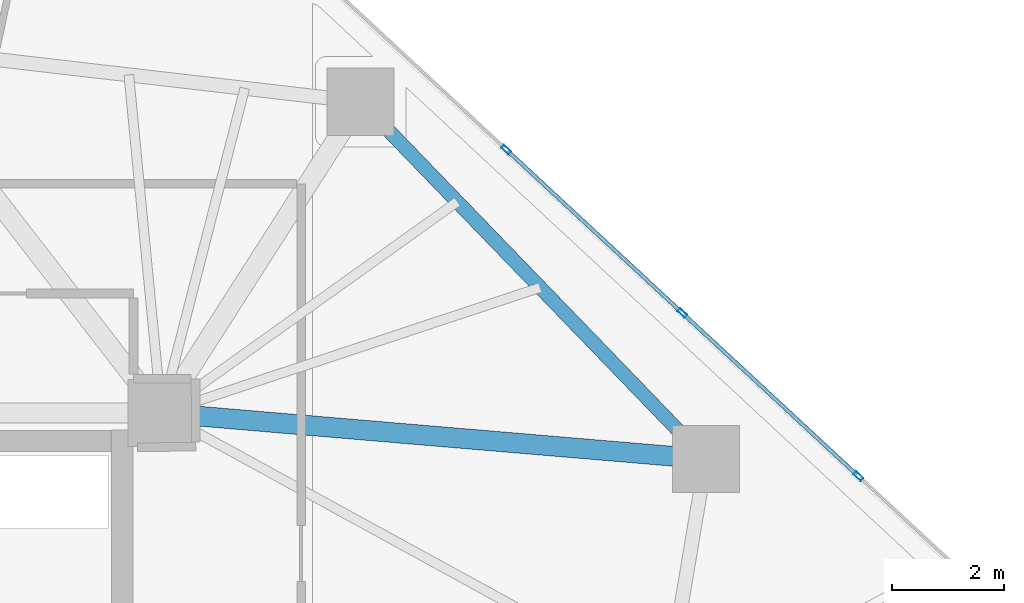
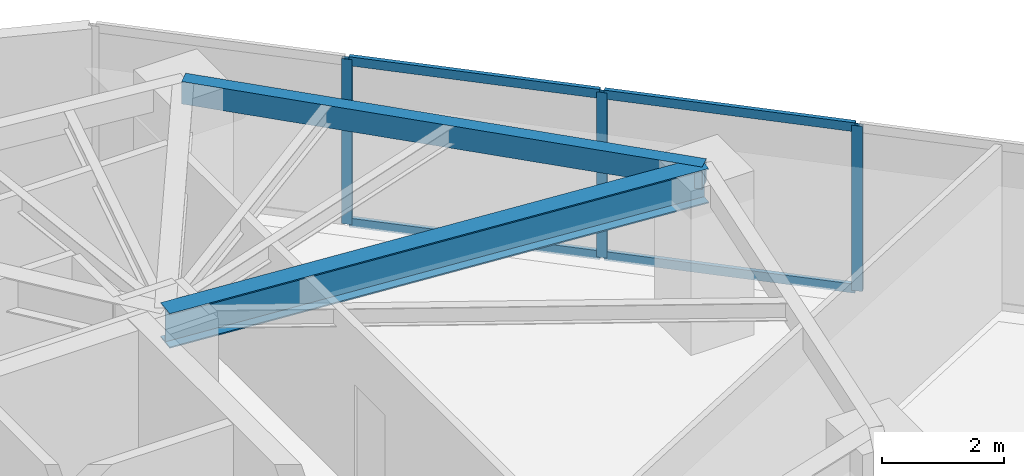
# One storey, part 14 of 22: 7 members, 2 beams, 1 element without a shape of its own.
"""IFC4 building model written with IfcOpenShell, lengths in metres."""

from ifc_helpers import new_model, si_unit, direction, frame, origin, origin_2d, place, context, subcontext, project, spatial, hollow_rectangle, i_section, extrude, source, transform, mapped, material, layer, layer_set, material_profile, profile_set, type_object, type_shapes, element, aggregate, save


model = new_model("IFC4")

# Units and contexts
model_context = context("Model", 3, precision=1e-05, world=origin(), true_north=direction((0.0, 1.0)))
body_context = subcontext(model_context, "Body", "Model", "MODEL_VIEW")
ifc_project = project(units=[si_unit("LENGTHUNIT", "METRE"), si_unit("AREAUNIT", "SQUARE_METRE"), si_unit("VOLUMEUNIT", "CUBIC_METRE"), si_unit("PLANEANGLEUNIT", "RADIAN"), si_unit("MASSUNIT", "GRAM", prefix="KILO")], contexts=[model_context])

# Site, building, storey
site_placement = place(None, origin())
site = spatial("IfcSite", under=ifc_project, at=site_placement, CompositionType="ELEMENT")
building_placement = place(site_placement, origin())
building = spatial("IfcBuilding", under=site, at=building_placement, Name="Talar Marvaseh", CompositionType="ELEMENT")
storey_placement = place(building_placement, frame((0.0, 0.0, 107.39990234375)))
storey = spatial("IfcBuildingStorey", under=building, at=storey_placement, Name="L27", CompositionType="ELEMENT", Elevation=107.39990234375)

# Beams
ifc_material_1 = material(Name="Steel S355", Category="steel")
ifc_material_profile_1 = material_profile(ifc_material_1, hollow_rectangle(XDim=0.25, YDim=0.449951171875, WallThickness=0.01611328125, at=origin_2d()), Name="RHS450x250x16")
ifc_profile_set_1 = profile_set([ifc_material_profile_1], Name="Steel S355")
beam_type_1 = type_object("IfcBeamType", Name="Zone 2 Perimeter Spandrel Beam RHS450x250x16", PredefinedType="SPANDREL", material=ifc_profile_set_1)
beam_1_placement = place(storey_placement, frame((36.865966796875, 42.470947265625, 3.085205078125), z_axis=(0.694796856243, -0.719206040405, 0.0), x_axis=(0.719206040405, 0.694796856243, 0.0)))
element("IfcBeam", 1, at=beam_1_placement, inside=storey, type_object=beam_type_1, Name="L27 Zone 2 Perimeter Spandrel Beam RHS450x250x16", PredefinedType="SPANDREL", context=body_context, shape_type="SweptSolid", body=[
    extrude(hollow_rectangle(XDim=0.25, YDim=0.449951171875, WallThickness=0.01611328125, at=origin_2d()), origin(), (0.0, 0.0, 1.0), 8.891845703125),
])
ifc_material_profile_2 = material_profile(ifc_material_1, i_section(OverallWidth=0.35498046875, OverallDepth=0.695068359375, WebThickness=0.015380859375, FlangeThickness=0.02490234375, at=origin_2d()), Name="W690x217")
ifc_profile_set_2 = profile_set([ifc_material_profile_2], Name="Steel S355")
beam_type_2 = type_object("IfcBeamType", Name="Zone 2 Radial Floor Girder W690x217", PredefinedType="BEAM", material=ifc_profile_set_2)
beam_2_placement = place(storey_placement, frame((43.0439453125, 36.075927734375, 2.962646484375), z_axis=(-0.996443598923, 0.084262412527, 0.0), x_axis=(-0.084262412527, -0.996443598923, 0.0)))
element("IfcBeam", 2, at=beam_2_placement, inside=storey, type_object=beam_type_2, Name="L27 Zone 2 Radial Floor Girder W690x217", PredefinedType="BEAM", context=body_context, shape_type="SweptSolid", body=[
    extrude(i_section(OverallWidth=0.35498046875, OverallDepth=0.695068359375, WebThickness=0.015380859375, FlangeThickness=0.02490234375, at=origin_2d()), origin(), (0.0, 0.0, 1.0), 9.778564453125),
])

# Curtain wall, members
ifc_material_2 = material(Name="Architectural Aluminium", Category="aluminium")
ifc_layer = layer(ifc_material_2, 0.199951171875)
ifc_layer_set = layer_set([ifc_layer], Name="Architectural Aluminium")
curtain_wall_type = type_object("IfcCurtainWallType", Name="Unitised Acoustic Library Curtain Wall Z2", PredefinedType="NOTDEFINED", material=ifc_layer_set)
curtain_wall_placement = place(storey_placement, origin())
curtain_wall = element("IfcCurtainWall", 3, at=curtain_wall_placement, inside=storey, type_object=curtain_wall_type, Name="L27 Unitised Acoustic Library Curtain Wall Z2", PredefinedType="NOTDEFINED")
ifc_material_profile_3 = material_profile(ifc_material_2, hollow_rectangle(XDim=0.074951171875, YDim=0.179931640625, WallThickness=0.0048828125, at=origin_2d()), Name="RHS180x75x5")
ifc_profile_set_3 = profile_set([ifc_material_profile_3], Name="Architectural Aluminium")
member_type_1 = type_object("IfcMemberType", Name="Unitised Curtain Wall Standard Mullion RHS180x75x5", PredefinedType="MULLION", material=ifc_profile_set_3)
shared_shape_1 = source(origin(), body_context, "Body", "SweptSolid", [
    extrude(hollow_rectangle(XDim=0.074951171875, YDim=0.179931640625, WallThickness=0.0048828125, at=origin_2d()), origin(), (0.0, 0.0, 1.0), 3.31005859375),
])
type_shapes(member_type_1, [shared_shape_1])
member_1_placement = place(storey_placement, frame((39.47021484375, 41.61279296875, 0.0), z_axis=(0.0, 0.0, 1.0), x_axis=(0.680030201623, 0.733184100264, 0.0)))
member_1 = element("IfcMember", 4, at=member_1_placement, type_object=member_type_1, Name="CW-Z2 mullion 2", PredefinedType="MULLION", context=body_context, shape_type="MappedRepresentation", body=[
    mapped(shared_shape_1, transform((0.0, 0.0, 0.0), x_axis=(1.0, 0.0, 0.0), y_axis=(0.0, 1.0, 0.0), z_axis=(0.0, 0.0, 1.0), scale=1.0)),
])
member_2_placement = place(storey_placement, frame((42.621337890625, 38.690185546875, 0.0), z_axis=(0.0, 0.0, 1.0), x_axis=(0.680030201623, 0.733184100264, 0.0)))
member_2 = element("IfcMember", 5, at=member_2_placement, type_object=member_type_1, Name="CW-Z2 mullion 3", PredefinedType="MULLION", context=body_context, shape_type="MappedRepresentation", body=[
    mapped(shared_shape_1, transform((0.0, 0.0, 0.0), x_axis=(1.0, 0.0, 0.0), y_axis=(0.0, 1.0, 0.0), z_axis=(0.0, 0.0, 1.0), scale=1.0)),
])
member_3_placement = place(storey_placement, frame((45.7724609375, 35.767578125, 0.0), z_axis=(0.0, 0.0, 1.0), x_axis=(0.680030201623, 0.733184100264, 0.0)))
member_3 = element("IfcMember", 6, at=member_3_placement, type_object=member_type_1, Name="CW-Z2 mullion 4", PredefinedType="MULLION", context=body_context, shape_type="MappedRepresentation", body=[
    mapped(shared_shape_1, transform((0.0, 0.0, 0.0), x_axis=(1.0, 0.0, 0.0), y_axis=(0.0, 1.0, 0.0), z_axis=(0.0, 0.0, 1.0), scale=1.0)),
])
ifc_material_profile_4 = material_profile(ifc_material_2, hollow_rectangle(XDim=0.074951171875, YDim=0.179931640625, WallThickness=0.0048828125, at=origin_2d()), Name="RHS180x75x5")
ifc_profile_set_4 = profile_set([ifc_material_profile_4], Name="Architectural Aluminium")
member_type_2 = type_object("IfcMemberType", Name="Unitised Curtain Wall Transom RHS180x75x5", PredefinedType="USERDEFINED", material=ifc_profile_set_4)
shared_shape_2 = source(origin(), body_context, "Body", "SweptSolid", [
    extrude(hollow_rectangle(XDim=0.074951171875, YDim=0.179931640625, WallThickness=0.0048828125, at=origin_2d()), origin(), (0.0, 0.0, 1.0), 4.222900390625),
])
type_shapes(member_type_2, [shared_shape_2])
member_4_placement = place(storey_placement, frame((39.49755859375, 41.58740234375, 0.03759765625), z_axis=(0.733201069762, -0.680011905263, 0.0), x_axis=(0.680011905263, 0.733201069762, 0.0)))
member_4 = element("IfcMember", 7, at=member_4_placement, type_object=member_type_2, Name="CW-Z2 transom 2.1", ObjectType="TRANSOM", PredefinedType="USERDEFINED", context=body_context, shape_type="MappedRepresentation", body=[
    mapped(shared_shape_2, transform((0.0, 0.0, 0.0), x_axis=(1.0, 0.0, 0.0), y_axis=(0.0, 1.0, 0.0), z_axis=(0.0, 0.0, 1.0), scale=1.0)),
])
member_5_placement = place(storey_placement, frame((39.49755859375, 41.58740234375, 3.272705078125), z_axis=(0.733201069762, -0.680011905263, 0.0), x_axis=(0.680011905263, 0.733201069762, 0.0)))
member_5 = element("IfcMember", 8, at=member_5_placement, type_object=member_type_2, Name="CW-Z2 transom 2.2", ObjectType="TRANSOM", PredefinedType="USERDEFINED", context=body_context, shape_type="MappedRepresentation", body=[
    mapped(shared_shape_2, transform((0.0, 0.0, 0.0), x_axis=(1.0, 0.0, 0.0), y_axis=(0.0, 1.0, 0.0), z_axis=(0.0, 0.0, 1.0), scale=1.0)),
])
member_6_placement = place(storey_placement, frame((42.648681640625, 38.664794921875, 0.03759765625), z_axis=(0.733172244863, -0.680042983467, 0.0), x_axis=(0.680042983467, 0.733172244863, 0.0)))
member_6 = element("IfcMember", 9, at=member_6_placement, type_object=member_type_2, Name="CW-Z2 transom 3.1", ObjectType="TRANSOM", PredefinedType="USERDEFINED", context=body_context, shape_type="MappedRepresentation", body=[
    mapped(shared_shape_2, transform((0.0, 0.0, 0.0), x_axis=(1.0, 0.0, 0.0), y_axis=(0.0, 1.0, 0.0), z_axis=(0.0, 0.0, 1.0), scale=1.0)),
])
member_7_placement = place(storey_placement, frame((42.648681640625, 38.664794921875, 3.272705078125), z_axis=(0.733172244863, -0.680042983467, 0.0), x_axis=(0.680042983467, 0.733172244863, 0.0)))
member_7 = element("IfcMember", 10, at=member_7_placement, type_object=member_type_2, Name="CW-Z2 transom 3.2", ObjectType="TRANSOM", PredefinedType="USERDEFINED", context=body_context, shape_type="MappedRepresentation", body=[
    mapped(shared_shape_2, transform((0.0, 0.0, 0.0), x_axis=(1.0, 0.0, 0.0), y_axis=(0.0, 1.0, 0.0), z_axis=(0.0, 0.0, 1.0), scale=1.0)),
])
aggregate(curtain_wall, [member_1, member_2, member_3, member_4, member_5, member_6, member_7])

save(model, "model.ifc")
